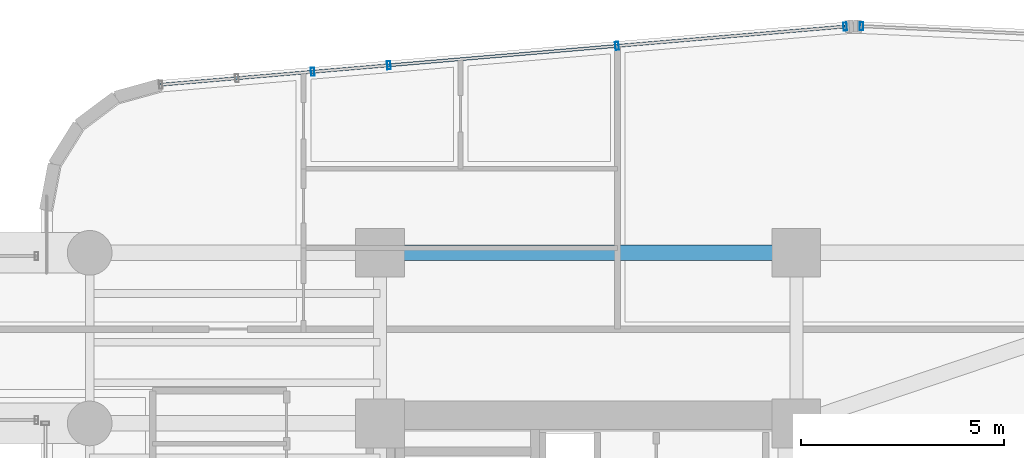
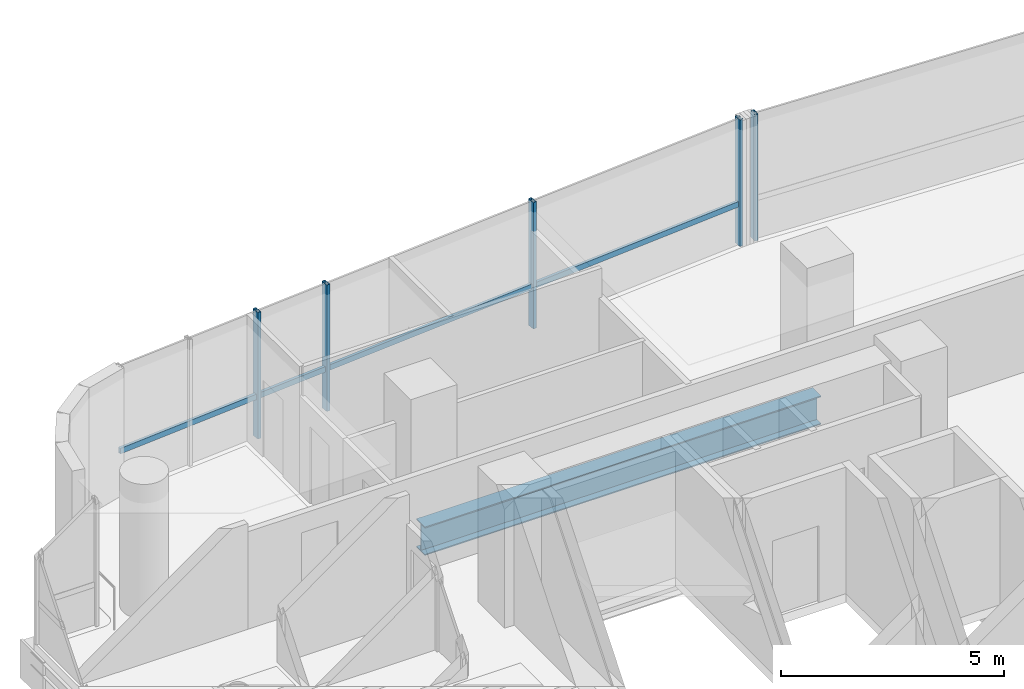
# One storey, part 20 of 35: 6 members, 1 beam, 2 elements without a shape of their own.
"""IFC4 building model written with IfcOpenShell, lengths in metres."""

from ifc_helpers import new_model, si_unit, direction, frame, origin, origin_2d, place, context, subcontext, project, spatial, hollow_rectangle, i_section, extrude, source, transform, mapped, material, material_profile, profile_set, type_object, element, aggregate, save


model = new_model("IFC4")

# Units and contexts
model_context = context("Model", 3, precision=1e-05, world=origin(), true_north=direction((0.0, 1.0)))
body_context = subcontext(model_context, "Body", "Model", "MODEL_VIEW")
ifc_project = project(units=[si_unit("LENGTHUNIT", "METRE"), si_unit("AREAUNIT", "SQUARE_METRE"), si_unit("VOLUMEUNIT", "CUBIC_METRE"), si_unit("PLANEANGLEUNIT", "RADIAN"), si_unit("MASSUNIT", "GRAM", prefix="KILO")], contexts=[model_context])

# Site, building, storey
site_placement = place(None, origin())
site = spatial("IfcSite", under=ifc_project, at=site_placement, CompositionType="ELEMENT")
building_placement = place(site_placement, origin())
building = spatial("IfcBuilding", under=site, at=building_placement, Name="Valdorenza Pilgrim Sanctuary Tower", CompositionType="ELEMENT")
storey_placement = place(building_placement, frame((0.0, 0.0, 150.10009765625)))
storey = spatial("IfcBuildingStorey", under=building, at=storey_placement, Name="L38", CompositionType="ELEMENT", Elevation=150.10009765625)

# Beam
ifc_material_1 = material(Name="Steel ASTM A992 Grade 50", Category="steel")
ifc_material_profile_1 = material_profile(ifc_material_1, i_section(OverallWidth=0.382080078125, OverallDepth=0.779052734375, WebThickness=0.01806640625, FlangeThickness=0.030029296875, at=origin_2d()), Name="W30X191")
ifc_profile_set_1 = profile_set([ifc_material_profile_1], Name="Steel ASTM A992 Grade 50")
beam_type = type_object("IfcBeamType", Name="STR-BM-GRD-W30", PredefinedType="BEAM", material=ifc_profile_set_1)
shared_shape_1 = source(origin(), body_context, "Body", "SweptSolid", [
    extrude(i_section(OverallWidth=0.382080078125, OverallDepth=0.779052734375, WebThickness=0.01806640625, FlangeThickness=0.030029296875, at=origin_2d()), origin(), (0.0, 0.0, 1.0), 10.25),
])
beam_placement = place(storey_placement, frame((-22.64990234375, 14.800048828125, -0.629638671875), z_axis=(1.0, 0.0, 0.0), x_axis=(0.0, 1.0, 0.0)))
element("IfcBeam", 1, at=beam_placement, inside=storey, type_object=beam_type, Name="L38 Floor Girder CA-XC-N2", PredefinedType="BEAM", context=body_context, shape_type="MappedRepresentation", body=[
    mapped(shared_shape_1, transform((0.0, 0.0, 0.0), x_axis=(1.0, 0.0, 0.0), y_axis=(0.0, 1.0, 0.0), z_axis=(0.0, 0.0, 1.0), scale=1.0)),
])

# Curtain wall, members
ifc_material_2 = material(Name="Curtain-wall IGU glazing", Category="glass")
curtain_wall_type = type_object("IfcCurtainWallType", Name="CW-SYS-02", PredefinedType="NOTDEFINED", material=ifc_material_2)
curtain_wall_1_placement = place(storey_placement, origin())
curtain_wall_1 = element("IfcCurtainWall", 2, at=curtain_wall_1_placement, inside=storey, type_object=curtain_wall_type, Name="L38 Curtain Wall CW-L38-1-6", PredefinedType="NOTDEFINED")
ifc_material_3 = material(Name="Anodised aluminium AW-6060", Category="aluminium")
ifc_material_profile_2 = material_profile(ifc_material_3, hollow_rectangle(XDim=0.0849609375, YDim=0.199951171875, WallThickness=0.0048828125, at=origin_2d()), Name="ALU-M 200x85x5")
ifc_profile_set_2 = profile_set([ifc_material_profile_2], Name="Anodised aluminium AW-6060")
member_type_1 = type_object("IfcMemberType", Name="CW-MUL-02", PredefinedType="MULLION", material=ifc_profile_set_2)
shared_shape_2 = source(origin(), body_context, "Body", "SweptSolid", [
    extrude(hollow_rectangle(XDim=0.0849609375, YDim=0.199951171875, WallThickness=0.0048828125, at=origin_2d()), origin(), (0.0, 0.0, 1.0), 3.4599609375),
])
member_1_placement = place(storey_placement, frame((-22.43408203125, 19.417724609375, 0.0), z_axis=(0.0, 0.0, 1.0), x_axis=(0.99640764237, 0.084686541006, 0.0)))
member_1 = element("IfcMember", 3, at=member_1_placement, type_object=member_type_1, Name="CW-L38-1-6 Mullion 2", PredefinedType="MULLION", context=body_context, shape_type="MappedRepresentation", body=[
    mapped(shared_shape_2, transform((0.0, 0.0, 0.0), x_axis=(1.0, 0.0, 0.0), y_axis=(0.0, 1.0, 0.0), z_axis=(0.0, 0.0, 1.0), scale=1.0)),
])
member_2_placement = place(storey_placement, frame((-16.81689453125, 19.895263671875, 0.0), z_axis=(0.0, 0.0, 1.0), x_axis=(0.99640764237, 0.084686541006, 0.0)))
member_2 = element("IfcMember", 4, at=member_2_placement, type_object=member_type_1, Name="CW-L38-1-6 Mullion 3", PredefinedType="MULLION", context=body_context, shape_type="MappedRepresentation", body=[
    mapped(shared_shape_2, transform((0.0, 0.0, 0.0), x_axis=(1.0, 0.0, 0.0), y_axis=(0.0, 1.0, 0.0), z_axis=(0.0, 0.0, 1.0), scale=1.0)),
])
member_3_placement = place(storey_placement, frame((-11.199462890625, 20.37255859375, 0.0), z_axis=(0.0, 0.0, 1.0), x_axis=(0.99640764237, 0.084686541006, 0.0)))
member_3 = element("IfcMember", 5, at=member_3_placement, type_object=member_type_1, Name="CW-L38-1-6 Mullion 4", PredefinedType="MULLION", context=body_context, shape_type="MappedRepresentation", body=[
    mapped(shared_shape_2, transform((0.0, 0.0, 0.0), x_axis=(1.0, 0.0, 0.0), y_axis=(0.0, 1.0, 0.0), z_axis=(0.0, 0.0, 1.0), scale=1.0)),
])

# Curtain wall, member
curtain_wall_2_placement = place(storey_placement, origin())
curtain_wall_2 = element("IfcCurtainWall", 6, at=curtain_wall_2_placement, inside=storey, type_object=curtain_wall_type, Name="L38 Curtain Wall CW-L38-1-11", PredefinedType="NOTDEFINED")
member_4_placement = place(storey_placement, frame((-10.795654296875, 20.380615234375, 0.0), z_axis=(0.0, 0.0, 1.0), x_axis=(0.998968193221, -0.045415294044, 0.0)))
member_4 = element("IfcMember", 7, at=member_4_placement, type_object=member_type_1, Name="CW-L38-1-11 Mullion 1", PredefinedType="MULLION", context=body_context, shape_type="MappedRepresentation", body=[
    mapped(shared_shape_2, transform((0.0, 0.0, 0.0), x_axis=(1.0, 0.0, 0.0), y_axis=(0.0, 1.0, 0.0), z_axis=(0.0, 0.0, 1.0), scale=1.0)),
])
aggregate(curtain_wall_2, [member_4])

# Member
member_5_placement = place(storey_placement, frame((-24.309814453125, 19.25830078125, 0.0), z_axis=(0.0, 0.0, 1.0), x_axis=(0.99640764237, 0.084686541006, 0.0)))
member_5 = element("IfcMember", 8, at=member_5_placement, type_object=member_type_1, Name="CW-L38-1-6 Sub-Mullion 63-2", PredefinedType="MULLION", context=body_context, shape_type="MappedRepresentation", body=[
    mapped(shared_shape_2, transform((0.0, 0.0, 0.0), x_axis=(1.0, 0.0, 0.0), y_axis=(0.0, 1.0, 0.0), z_axis=(0.0, 0.0, 1.0), scale=1.0)),
])

ifc_material_profile_3 = material_profile(ifc_material_3, hollow_rectangle(XDim=0.074951171875, YDim=0.14990234375, WallThickness=0.00390625, at=origin_2d()), Name="ALU-T 150x75x4")
ifc_profile_set_3 = profile_set([ifc_material_profile_3], Name="Anodised aluminium AW-6060")
member_type_2 = type_object("IfcMemberType", Name="CW-TRN-02", PredefinedType="USERDEFINED", material=ifc_profile_set_3)
shared_shape_3 = source(origin(), body_context, "Body", "SweptSolid", [
    extrude(hollow_rectangle(XDim=0.074951171875, YDim=0.14990234375, WallThickness=0.00390625, at=origin_2d()), origin(), (0.0, 0.0, 1.0), 16.912841796875),
])
member_6_placement = place(storey_placement, frame((-28.051513671875, 18.940185546875, 1.119873046875), z_axis=(0.996407213932, 0.084691581783, 0.0), x_axis=(-0.084691581783, 0.996407213932, 0.0)))
member_6 = element("IfcMember", 9, at=member_6_placement, type_object=member_type_2, Name="CW-L38-1-6 Transom 1", ObjectType="TRANSOM", PredefinedType="USERDEFINED", context=body_context, shape_type="MappedRepresentation", body=[
    mapped(shared_shape_3, transform((0.0, 0.0, 0.0), x_axis=(1.0, 0.0, 0.0), y_axis=(0.0, 1.0, 0.0), z_axis=(0.0, 0.0, 1.0), scale=1.0)),
])

aggregate(curtain_wall_1, [member_1, member_2, member_3, member_6, member_5])

save(model, "model.ifc")
